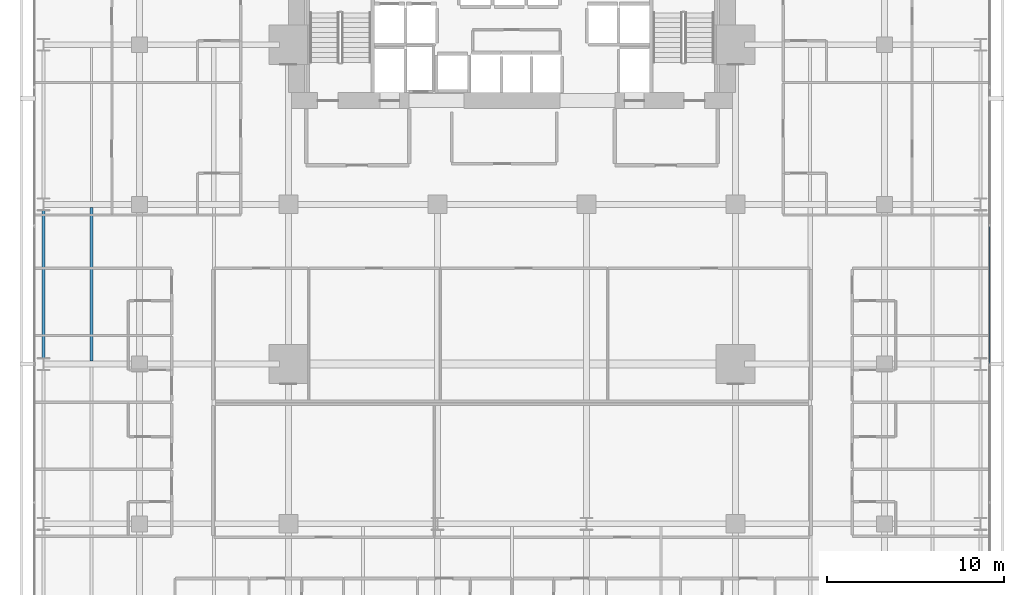
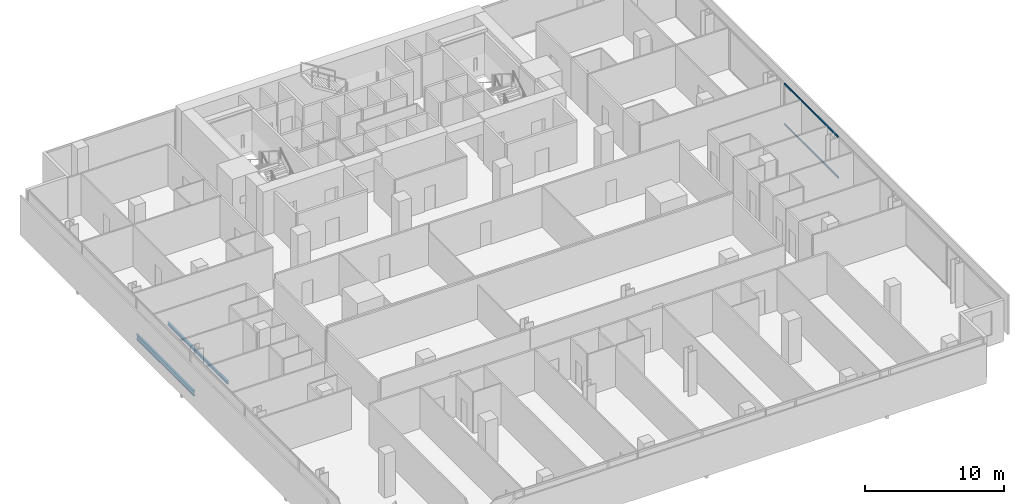
# One storey, part 20 of 40: 2 beams, 2 members, 1 element without a shape of its own.
"""IFC4 building model written with IfcOpenShell, lengths in metres."""

from ifc_helpers import new_model, si_unit, direction, frame, origin, origin_2d, place, context, subcontext, project, spatial, hollow_rectangle, i_section, extrude, material, layer, layer_set, material_profile, profile_set, type_object, element, aggregate, save


model = new_model("IFC4")

# Units and contexts
model_context = context("Model", 3, precision=1e-05, world=origin(), true_north=direction((0.0, 1.0)))
body_context = subcontext(model_context, "Body", "Model", "MODEL_VIEW")
ifc_project = project(units=[si_unit("LENGTHUNIT", "METRE"), si_unit("AREAUNIT", "SQUARE_METRE"), si_unit("VOLUMEUNIT", "CUBIC_METRE"), si_unit("PLANEANGLEUNIT", "RADIAN"), si_unit("MASSUNIT", "GRAM", prefix="KILO")], contexts=[model_context])

# Site, building, storey
site_placement = place(None, origin())
site = spatial("IfcSite", under=ifc_project, at=site_placement, CompositionType="ELEMENT")
building_placement = place(site_placement, origin())
building = spatial("IfcBuilding", under=site, at=building_placement, Name="Maruvema Waterfront Hotel and Observation Tower", CompositionType="ELEMENT")
storey_placement = place(building_placement, frame((0.0, 0.0, 100.10009765625)))
storey = spatial("IfcBuildingStorey", under=building, at=storey_placement, Name="L24", CompositionType="ELEMENT", Elevation=100.10009765625)

# Curtain wall, members
ifc_material_1 = material(Name="Anodised bronze aluminium and solar-control low-E IGU", Category="aluminium")
ifc_layer = layer(ifc_material_1, 0.159912109375, Name="Zone 1 Bronze Inner Thermal Curtain Wall System CW-02")
ifc_layer_set = layer_set([ifc_layer], Name="Anodised bronze aluminium and solar-control low-E IGU")
curtain_wall_type = type_object("IfcCurtainWallType", Name="Zone 1 Bronze Inner Thermal Curtain Wall System CW-02", PredefinedType="USERDEFINED", material=ifc_layer_set)
curtain_wall_placement = place(storey_placement, origin())
curtain_wall = element("IfcCurtainWall", 1, at=curtain_wall_placement, inside=storey, type_object=curtain_wall_type, Name="L24 Curtain Wall CW-L24-E", ObjectType="UNITISED CURTAIN WALL", PredefinedType="USERDEFINED")
ifc_material_2 = material(Name="Anodised architectural bronze aluminium", Category="aluminium")
ifc_material_profile_1 = material_profile(ifc_material_2, hollow_rectangle(XDim=0.070068359375, YDim=0.14990234375, WallThickness=0.00390625, at=origin_2d()), Name="ALU-T70x150")
ifc_profile_set_1 = profile_set([ifc_material_profile_1], Name="Anodised architectural bronze aluminium")
member_type = type_object("IfcMemberType", Name="Curtain Wall Horizontal Transom ALU-T70x150", PredefinedType="USERDEFINED", material=ifc_profile_set_1)
member_1_placement = place(storey_placement, frame((64.719970703125, 27.030029296875, 0.02978515625), z_axis=(0.0, 1.0, 0.0), x_axis=(-1.0, 0.0, 0.0)))
member_1 = element("IfcMember", 2, at=member_1_placement, type_object=member_type, Name="CW-02 transom 4.1", ObjectType="TRANSOM", PredefinedType="USERDEFINED", context=body_context, shape_type="SweptSolid", body=[
    extrude(hollow_rectangle(XDim=0.070068359375, YDim=0.14990234375, WallThickness=0.00390625, at=origin_2d()), origin(), (0.0, 0.0, 1.0), 7.739990234375),
])
member_2_placement = place(storey_placement, frame((64.719970703125, 27.030029296875, 3.579833984375), z_axis=(0.0, 1.0, 0.0), x_axis=(-1.0, 0.0, 0.0)))
member_2 = element("IfcMember", 3, at=member_2_placement, type_object=member_type, Name="CW-02 transom 4.2", ObjectType="TRANSOM", PredefinedType="USERDEFINED", context=body_context, shape_type="SweptSolid", body=[
    extrude(hollow_rectangle(XDim=0.070068359375, YDim=0.14990234375, WallThickness=0.00390625, at=origin_2d()), origin(), (0.0, 0.0, 1.0), 7.739990234375),
])
aggregate(curtain_wall, [member_1, member_2])

# Beams
ifc_material_3 = material(Name="Steel ASTM A572 Grade 50", Category="steel")
ifc_material_profile_2 = material_profile(ifc_material_3, i_section(OverallWidth=0.153076171875, OverallDepth=0.455078125, WebThickness=0.008056640625, FlangeThickness=0.01318359375, FilletRadius=0.014892578125, at=origin_2d()), Name="W460x60.0")
ifc_profile_set_2 = profile_set([ifc_material_profile_2], Name="Steel ASTM A572 Grade 50")
beam_type_1 = type_object("IfcBeamType", Name="Perimeter Spandrel Beam W460x60.0", PredefinedType="SPANDREL", material=ifc_profile_set_2)
beam_1_placement = place(storey_placement, frame((11.39990234375, 27.35009765625, -0.467529296875), z_axis=(0.0, 1.0, 0.0), x_axis=(-1.0, 0.0, 0.0)))
element("IfcBeam", 4, at=beam_1_placement, inside=storey, type_object=beam_type_1, Name="L24 Floor Girder NS-03", PredefinedType="SPANDREL", context=body_context, shape_type="SweptSolid", body=[
    extrude(i_section(OverallWidth=0.153076171875, OverallDepth=0.455078125, WebThickness=0.008056640625, FlangeThickness=0.01318359375, FilletRadius=0.014892578125, at=origin_2d()), origin(), (0.0, 0.0, 1.0), 8.2998046875),
])
ifc_material_4 = material(Name="Steel ASTM A572 Grade 50", Category="steel")
ifc_material_profile_3 = material_profile(ifc_material_4, i_section(OverallWidth=0.14599609375, OverallDepth=0.258056640625, WebThickness=0.006103515625, FlangeThickness=0.009033203125, FilletRadius=0.012939453125, at=origin_2d()), Name="W250x32.7")
ifc_profile_set_3 = profile_set([ifc_material_profile_3], Name="Steel ASTM A572 Grade 50")
beam_type_2 = type_object("IfcBeamType", Name="Secondary Floor Joist W250x32.7", PredefinedType="JOIST", material=ifc_profile_set_3)
beam_2_placement = place(storey_placement, frame((14.10009765625, 27.162109375, -0.369140625), z_axis=(0.0, 1.0, 0.0), x_axis=(-1.0, 0.0, 0.0)))
element("IfcBeam", 5, at=beam_2_placement, inside=storey, type_object=beam_type_2, Name="L24 Secondary Floor Joist JS-03", PredefinedType="JOIST", context=body_context, shape_type="SweptSolid", body=[
    extrude(i_section(OverallWidth=0.14599609375, OverallDepth=0.258056640625, WebThickness=0.006103515625, FlangeThickness=0.009033203125, FilletRadius=0.012939453125, at=origin_2d()), origin(), (0.0, 0.0, 1.0), 8.67578125),
])

save(model, "model.ifc")
